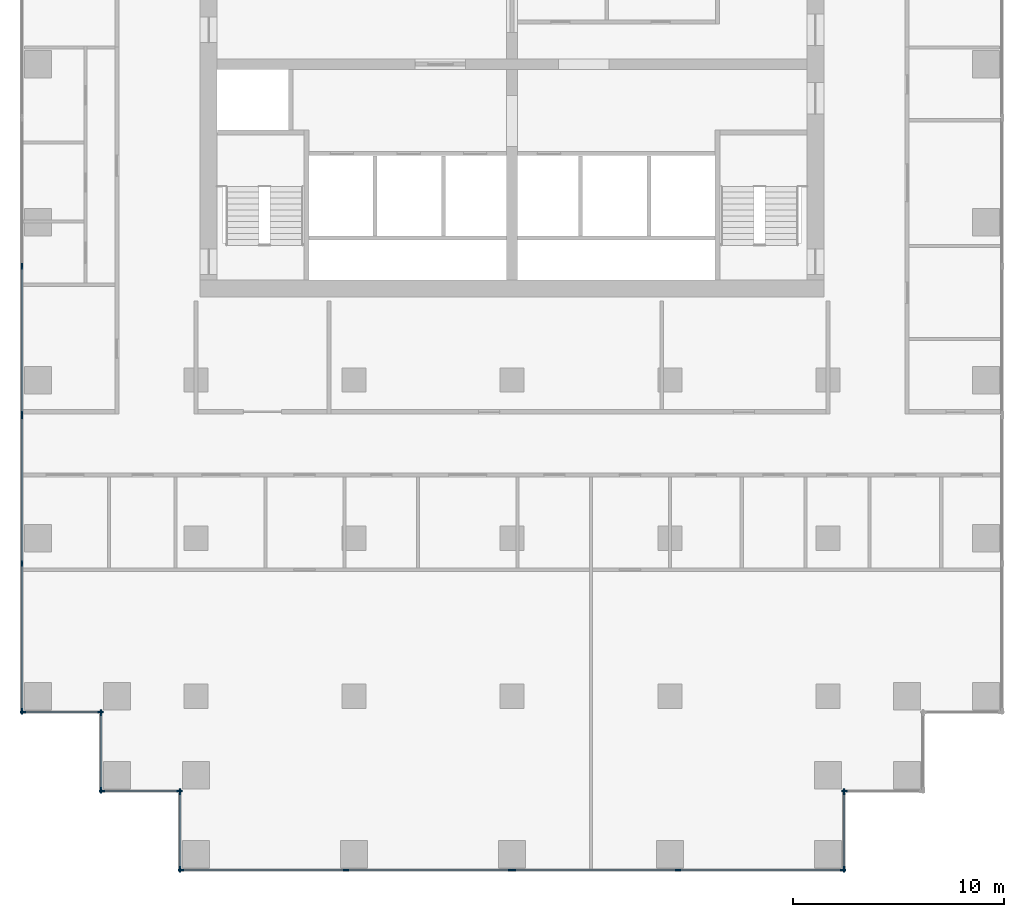
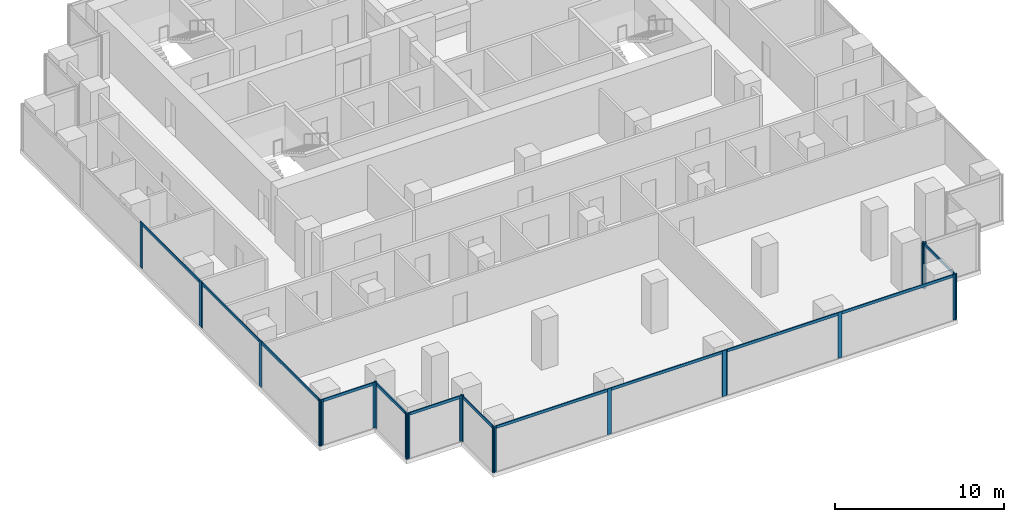
# One storey, part 2 of 10: 34 members, 10 elements without a shape of their own.
"""IFC4 building model written with IfcOpenShell, lengths in metres."""

from ifc_helpers import new_model, si_unit, direction, frame, origin, origin_2d, place, context, subcontext, project, spatial, rectangle, extrude, material, material_profile, profile_set, type_object, element, aggregate, save


model = new_model("IFC4")

# Units and contexts
model_context = context("Model", 3, precision=1e-05, world=origin(), true_north=direction((0.0, 1.0)))
body_context = subcontext(model_context, "Body", "Model", "MODEL_VIEW")
ifc_project = project(units=[si_unit("LENGTHUNIT", "METRE"), si_unit("AREAUNIT", "SQUARE_METRE"), si_unit("VOLUMEUNIT", "CUBIC_METRE"), si_unit("PLANEANGLEUNIT", "RADIAN"), si_unit("MASSUNIT", "GRAM", prefix="KILO")], contexts=[model_context])

# Site, building, storey
site_placement = place(None, origin())
site = spatial("IfcSite", under=ifc_project, at=site_placement, CompositionType="ELEMENT")
building_placement = place(site_placement, origin())
building = spatial("IfcBuilding", under=site, at=building_placement, Name="Pilkhan Gate Tower", CompositionType="ELEMENT")
storey_placement = place(building_placement, frame((0.0, 0.0, 107.199951171875)))
storey = spatial("IfcBuildingStorey", under=building, at=storey_placement, Name="L26", CompositionType="ELEMENT", Elevation=107.199951171875)

# Curtain wall, members
ifc_material_1 = material(Name="Pale anodised aluminium, clear low-iron double glazing", Category="aluminium")
curtain_wall_type = type_object("IfcCurtainWallType", Name="Office unitised curtain wall CW-O1", PredefinedType="USERDEFINED", material=ifc_material_1)
curtain_wall_1_placement = place(storey_placement, origin())
curtain_wall_1 = element("IfcCurtainWall", 1, at=curtain_wall_1_placement, inside=storey, type_object=curtain_wall_type, Name="Office unitised curtain wall CW-O1 L26 W", ObjectType="UNITISED CURTAIN WALL", PredefinedType="USERDEFINED")
ifc_material_2 = material(Name="Pale anodised aluminium", Category="aluminium")
ifc_material_profile_1 = material_profile(ifc_material_2, rectangle(XDim=0.070068359375, YDim=0.27490234375, at=origin_2d()), Name="Mullion 275x70")
ifc_profile_set_1 = profile_set([ifc_material_profile_1], Name="Pale anodised aluminium")
member_type_1 = type_object("IfcMemberType", Name="Mullion CW-O1 275x70", PredefinedType="MULLION", material=ifc_profile_set_1)
member_1_placement = place(storey_placement, frame((51.75, 51.784912109375, 0.0), z_axis=(0.0, 0.0, 1.0), x_axis=(-1.0, 0.0, 0.0)))
member_1 = element("IfcMember", 2, at=member_1_placement, type_object=member_type_1, Name="CW-O1 mullion 1", PredefinedType="MULLION", context=body_context, shape_type="SweptSolid", body=[
    extrude(rectangle(XDim=0.070068359375, YDim=0.27490234375, at=origin_2d()), origin(), (0.0, 0.0, 1.0), 3.300048828125),
])
member_2_placement = place(storey_placement, frame((51.75, 58.800048828125, 0.0), z_axis=(0.0, 0.0, 1.0), x_axis=(-1.0, 0.0, 0.0)))
member_2 = element("IfcMember", 3, at=member_2_placement, type_object=member_type_1, Name="CW-O1 mullion 2", PredefinedType="MULLION", context=body_context, shape_type="SweptSolid", body=[
    extrude(rectangle(XDim=0.070068359375, YDim=0.27490234375, at=origin_2d()), origin(), (0.0, 0.0, 1.0), 3.300048828125),
])
member_3_placement = place(storey_placement, frame((51.75, 65.81494140625, 0.0), z_axis=(0.0, 0.0, 1.0), x_axis=(-1.0, 0.0, 0.0)))
member_3 = element("IfcMember", 4, at=member_3_placement, type_object=member_type_1, Name="CW-O1 mullion 3", PredefinedType="MULLION", context=body_context, shape_type="SweptSolid", body=[
    extrude(rectangle(XDim=0.070068359375, YDim=0.27490234375, at=origin_2d()), origin(), (0.0, 0.0, 1.0), 3.300048828125),
])

curtain_wall_2_placement = place(storey_placement, origin())
curtain_wall_2 = element("IfcCurtainWall", 5, at=curtain_wall_2_placement, inside=storey, type_object=curtain_wall_type, Name="Office unitised curtain wall CW-O1 L26 W", ObjectType="UNITISED CURTAIN WALL", PredefinedType="USERDEFINED")
member_4_placement = place(storey_placement, frame((51.75, 65.885009765625, 0.0), z_axis=(0.0, 0.0, 1.0), x_axis=(-1.0, 0.0, 0.0)))
member_4 = element("IfcMember", 6, at=member_4_placement, type_object=member_type_1, Name="CW-O1 mullion 1", PredefinedType="MULLION", context=body_context, shape_type="SweptSolid", body=[
    extrude(rectangle(XDim=0.070068359375, YDim=0.27490234375, at=origin_2d()), origin(), (0.0, 0.0, 1.0), 3.300048828125),
])
member_5_placement = place(storey_placement, frame((51.75, 72.89990234375, 0.0), z_axis=(0.0, 0.0, 1.0), x_axis=(-1.0, 0.0, 0.0)))
member_5 = element("IfcMember", 7, at=member_5_placement, type_object=member_type_1, Name="CW-O1 mullion 2", PredefinedType="MULLION", context=body_context, shape_type="SweptSolid", body=[
    extrude(rectangle(XDim=0.070068359375, YDim=0.27490234375, at=origin_2d()), origin(), (0.0, 0.0, 1.0), 3.300048828125),
])

curtain_wall_3_placement = place(storey_placement, origin())
curtain_wall_3 = element("IfcCurtainWall", 8, at=curtain_wall_3_placement, inside=storey, type_object=curtain_wall_type, Name="Office unitised curtain wall CW-O1 L26 S", ObjectType="UNITISED CURTAIN WALL", PredefinedType="USERDEFINED")
member_6_placement = place(storey_placement, frame((51.784912109375, 51.75, 0.0), z_axis=(0.0, 0.0, 1.0), x_axis=(0.0, 1.0, 0.0)))
member_6 = element("IfcMember", 9, at=member_6_placement, type_object=member_type_1, Name="CW-O1 mullion 1", PredefinedType="MULLION", context=body_context, shape_type="SweptSolid", body=[
    extrude(rectangle(XDim=0.070068359375, YDim=0.27490234375, at=origin_2d()), origin(), (0.0, 0.0, 1.0), 3.300048828125),
])
member_7_placement = place(storey_placement, frame((55.465087890625, 51.75, 0.0), z_axis=(0.0, 0.0, 1.0), x_axis=(0.0, 1.0, 0.0)))
member_7 = element("IfcMember", 10, at=member_7_placement, type_object=member_type_1, Name="CW-O1 mullion 2", PredefinedType="MULLION", context=body_context, shape_type="SweptSolid", body=[
    extrude(rectangle(XDim=0.070068359375, YDim=0.27490234375, at=origin_2d()), origin(), (0.0, 0.0, 1.0), 3.300048828125),
])

curtain_wall_4_placement = place(storey_placement, origin())
curtain_wall_4 = element("IfcCurtainWall", 11, at=curtain_wall_4_placement, inside=storey, type_object=curtain_wall_type, Name="Office unitised curtain wall CW-O1 L26 W", ObjectType="UNITISED CURTAIN WALL", PredefinedType="USERDEFINED")
member_8_placement = place(storey_placement, frame((55.5, 48.034912109375, 0.0), z_axis=(0.0, 0.0, 1.0), x_axis=(-1.0, 0.0, 0.0)))
member_8 = element("IfcMember", 12, at=member_8_placement, type_object=member_type_1, Name="CW-O1 mullion 1", PredefinedType="MULLION", context=body_context, shape_type="SweptSolid", body=[
    extrude(rectangle(XDim=0.070068359375, YDim=0.27490234375, at=origin_2d()), origin(), (0.0, 0.0, 1.0), 3.300048828125),
])
member_9_placement = place(storey_placement, frame((55.5, 51.715087890625, 0.0), z_axis=(0.0, 0.0, 1.0), x_axis=(-1.0, 0.0, 0.0)))
member_9 = element("IfcMember", 13, at=member_9_placement, type_object=member_type_1, Name="CW-O1 mullion 2", PredefinedType="MULLION", context=body_context, shape_type="SweptSolid", body=[
    extrude(rectangle(XDim=0.070068359375, YDim=0.27490234375, at=origin_2d()), origin(), (0.0, 0.0, 1.0), 3.300048828125),
])

curtain_wall_5_placement = place(storey_placement, origin())
curtain_wall_5 = element("IfcCurtainWall", 14, at=curtain_wall_5_placement, inside=storey, type_object=curtain_wall_type, Name="Office unitised curtain wall CW-O1 L26 S", ObjectType="UNITISED CURTAIN WALL", PredefinedType="USERDEFINED")
member_10_placement = place(storey_placement, frame((55.534912109375, 48.0, 0.0), z_axis=(0.0, 0.0, 1.0), x_axis=(0.0, 1.0, 0.0)))
member_10 = element("IfcMember", 15, at=member_10_placement, type_object=member_type_1, Name="CW-O1 mullion 1", PredefinedType="MULLION", context=body_context, shape_type="SweptSolid", body=[
    extrude(rectangle(XDim=0.070068359375, YDim=0.27490234375, at=origin_2d()), origin(), (0.0, 0.0, 1.0), 3.300048828125),
])
member_11_placement = place(storey_placement, frame((59.215087890625, 48.0, 0.0), z_axis=(0.0, 0.0, 1.0), x_axis=(0.0, 1.0, 0.0)))
member_11 = element("IfcMember", 16, at=member_11_placement, type_object=member_type_1, Name="CW-O1 mullion 2", PredefinedType="MULLION", context=body_context, shape_type="SweptSolid", body=[
    extrude(rectangle(XDim=0.070068359375, YDim=0.27490234375, at=origin_2d()), origin(), (0.0, 0.0, 1.0), 3.300048828125),
])

curtain_wall_6_placement = place(storey_placement, origin())
curtain_wall_6 = element("IfcCurtainWall", 17, at=curtain_wall_6_placement, inside=storey, type_object=curtain_wall_type, Name="Office unitised curtain wall CW-O1 L26 W", ObjectType="UNITISED CURTAIN WALL", PredefinedType="USERDEFINED")
member_12_placement = place(storey_placement, frame((59.25, 44.284912109375, 0.0), z_axis=(0.0, 0.0, 1.0), x_axis=(-1.0, 0.0, 0.0)))
member_12 = element("IfcMember", 18, at=member_12_placement, type_object=member_type_1, Name="CW-O1 mullion 1", PredefinedType="MULLION", context=body_context, shape_type="SweptSolid", body=[
    extrude(rectangle(XDim=0.070068359375, YDim=0.27490234375, at=origin_2d()), origin(), (0.0, 0.0, 1.0), 3.300048828125),
])
member_13_placement = place(storey_placement, frame((59.25, 47.965087890625, 0.0), z_axis=(0.0, 0.0, 1.0), x_axis=(-1.0, 0.0, 0.0)))
member_13 = element("IfcMember", 19, at=member_13_placement, type_object=member_type_1, Name="CW-O1 mullion 2", PredefinedType="MULLION", context=body_context, shape_type="SweptSolid", body=[
    extrude(rectangle(XDim=0.070068359375, YDim=0.27490234375, at=origin_2d()), origin(), (0.0, 0.0, 1.0), 3.300048828125),
])

curtain_wall_7_placement = place(storey_placement, origin())
curtain_wall_7 = element("IfcCurtainWall", 20, at=curtain_wall_7_placement, inside=storey, type_object=curtain_wall_type, Name="Office unitised curtain wall CW-O1 L26 S", ObjectType="UNITISED CURTAIN WALL", PredefinedType="USERDEFINED")
member_14_placement = place(storey_placement, frame((59.284912109375, 44.25, 0.0), z_axis=(0.0, 0.0, 1.0), x_axis=(0.0, 1.0, 0.0)))
member_14 = element("IfcMember", 21, at=member_14_placement, type_object=member_type_1, Name="CW-O1 mullion 1", PredefinedType="MULLION", context=body_context, shape_type="SweptSolid", body=[
    extrude(rectangle(XDim=0.070068359375, YDim=0.27490234375, at=origin_2d()), origin(), (0.0, 0.0, 1.0), 3.300048828125),
])
member_15_placement = place(storey_placement, frame((67.125, 44.25, 0.0), z_axis=(0.0, 0.0, 1.0), x_axis=(0.0, 1.0, 0.0)))
member_15 = element("IfcMember", 22, at=member_15_placement, type_object=member_type_1, Name="CW-O1 mullion 2", PredefinedType="MULLION", context=body_context, shape_type="SweptSolid", body=[
    extrude(rectangle(XDim=0.070068359375, YDim=0.27490234375, at=origin_2d()), origin(), (0.0, 0.0, 1.0), 3.300048828125),
])
member_16_placement = place(storey_placement, frame((74.965087890625, 44.25, 0.0), z_axis=(0.0, 0.0, 1.0), x_axis=(0.0, 1.0, 0.0)))
member_16 = element("IfcMember", 23, at=member_16_placement, type_object=member_type_1, Name="CW-O1 mullion 3", PredefinedType="MULLION", context=body_context, shape_type="SweptSolid", body=[
    extrude(rectangle(XDim=0.070068359375, YDim=0.27490234375, at=origin_2d()), origin(), (0.0, 0.0, 1.0), 3.300048828125),
])

curtain_wall_8_placement = place(storey_placement, origin())
curtain_wall_8 = element("IfcCurtainWall", 24, at=curtain_wall_8_placement, inside=storey, type_object=curtain_wall_type, Name="Office unitised curtain wall CW-O1 L26 S", ObjectType="UNITISED CURTAIN WALL", PredefinedType="USERDEFINED")
member_17_placement = place(storey_placement, frame((75.034912109375, 44.25, 0.0), z_axis=(0.0, 0.0, 1.0), x_axis=(0.0, 1.0, 0.0)))
member_17 = element("IfcMember", 25, at=member_17_placement, type_object=member_type_1, Name="CW-O1 mullion 1", PredefinedType="MULLION", context=body_context, shape_type="SweptSolid", body=[
    extrude(rectangle(XDim=0.070068359375, YDim=0.27490234375, at=origin_2d()), origin(), (0.0, 0.0, 1.0), 3.300048828125),
])
member_18_placement = place(storey_placement, frame((82.875, 44.25, 0.0), z_axis=(0.0, 0.0, 1.0), x_axis=(0.0, 1.0, 0.0)))
member_18 = element("IfcMember", 26, at=member_18_placement, type_object=member_type_1, Name="CW-O1 mullion 2", PredefinedType="MULLION", context=body_context, shape_type="SweptSolid", body=[
    extrude(rectangle(XDim=0.070068359375, YDim=0.27490234375, at=origin_2d()), origin(), (0.0, 0.0, 1.0), 3.300048828125),
])
member_19_placement = place(storey_placement, frame((90.715087890625, 44.25, 0.0), z_axis=(0.0, 0.0, 1.0), x_axis=(0.0, 1.0, 0.0)))
member_19 = element("IfcMember", 27, at=member_19_placement, type_object=member_type_1, Name="CW-O1 mullion 3", PredefinedType="MULLION", context=body_context, shape_type="SweptSolid", body=[
    extrude(rectangle(XDim=0.070068359375, YDim=0.27490234375, at=origin_2d()), origin(), (0.0, 0.0, 1.0), 3.300048828125),
])

curtain_wall_9_placement = place(storey_placement, origin())
curtain_wall_9 = element("IfcCurtainWall", 28, at=curtain_wall_9_placement, inside=storey, type_object=curtain_wall_type, Name="Office unitised curtain wall CW-O1 L26 E", ObjectType="UNITISED CURTAIN WALL", PredefinedType="USERDEFINED")
member_20_placement = place(storey_placement, frame((90.75, 44.284912109375, 0.0), z_axis=(0.0, 0.0, 1.0), x_axis=(-1.0, 0.0, 0.0)))
member_20 = element("IfcMember", 29, at=member_20_placement, type_object=member_type_1, Name="CW-O1 mullion 1", PredefinedType="MULLION", context=body_context, shape_type="SweptSolid", body=[
    extrude(rectangle(XDim=0.070068359375, YDim=0.27490234375, at=origin_2d()), origin(), (0.0, 0.0, 1.0), 3.300048828125),
])
member_21_placement = place(storey_placement, frame((90.75, 47.965087890625, 0.0), z_axis=(0.0, 0.0, 1.0), x_axis=(-1.0, 0.0, 0.0)))
member_21 = element("IfcMember", 30, at=member_21_placement, type_object=member_type_1, Name="CW-O1 mullion 2", PredefinedType="MULLION", context=body_context, shape_type="SweptSolid", body=[
    extrude(rectangle(XDim=0.070068359375, YDim=0.27490234375, at=origin_2d()), origin(), (0.0, 0.0, 1.0), 3.300048828125),
])

# Curtain wall, member
curtain_wall_10_placement = place(storey_placement, origin())
curtain_wall_10 = element("IfcCurtainWall", 31, at=curtain_wall_10_placement, inside=storey, type_object=curtain_wall_type, Name="Office unitised curtain wall CW-O1 L26 S", ObjectType="UNITISED CURTAIN WALL", PredefinedType="USERDEFINED")
member_22_placement = place(storey_placement, frame((90.784912109375, 48.0, 0.0), z_axis=(0.0, 0.0, 1.0), x_axis=(0.0, 1.0, 0.0)))
member_22 = element("IfcMember", 32, at=member_22_placement, type_object=member_type_1, Name="CW-O1 mullion 1", PredefinedType="MULLION", context=body_context, shape_type="SweptSolid", body=[
    extrude(rectangle(XDim=0.070068359375, YDim=0.27490234375, at=origin_2d()), origin(), (0.0, 0.0, 1.0), 3.300048828125),
])
aggregate(curtain_wall_10, [member_22])

# Member
ifc_material_profile_2 = material_profile(ifc_material_2, rectangle(XDim=0.070068359375, YDim=0.199951171875, at=origin_2d()), Name="Transom 200x70")
ifc_profile_set_2 = profile_set([ifc_material_profile_2], Name="Pale anodised aluminium")
member_type_2 = type_object("IfcMemberType", Name="Transom CW-O1 200x70", PredefinedType="USERDEFINED", material=ifc_profile_set_2)
member_23_placement = place(storey_placement, frame((51.75, 51.820068359375, 3.199951171875), z_axis=(0.0, 1.0, 0.0), x_axis=(-1.0, 0.0, 0.0)))
member_23 = element("IfcMember", 33, at=member_23_placement, type_object=member_type_2, Name="CW-O1 transom 1", ObjectType="TRANSOM", PredefinedType="USERDEFINED", context=body_context, shape_type="SweptSolid", body=[
    extrude(rectangle(XDim=0.070068359375, YDim=0.199951171875, at=origin_2d()), origin(), (0.0, 0.0, 1.0), 6.94482421875),
])

member_24_placement = place(storey_placement, frame((51.75, 58.8349609375, 3.199951171875), z_axis=(0.0, 1.0, 0.0), x_axis=(-1.0, 0.0, 0.0)))
member_24 = element("IfcMember", 34, at=member_24_placement, type_object=member_type_2, Name="CW-O1 transom 2", ObjectType="TRANSOM", PredefinedType="USERDEFINED", context=body_context, shape_type="SweptSolid", body=[
    extrude(rectangle(XDim=0.070068359375, YDim=0.199951171875, at=origin_2d()), origin(), (0.0, 0.0, 1.0), 6.945068359375),
])

aggregate(curtain_wall_1, [member_1, member_2, member_3, member_23, member_24])

member_25_placement = place(storey_placement, frame((51.75, 65.919921875, 3.199951171875), z_axis=(0.0, 1.0, 0.0), x_axis=(-1.0, 0.0, 0.0)))
member_25 = element("IfcMember", 35, at=member_25_placement, type_object=member_type_2, Name="CW-O1 transom 1", ObjectType="TRANSOM", PredefinedType="USERDEFINED", context=body_context, shape_type="SweptSolid", body=[
    extrude(rectangle(XDim=0.070068359375, YDim=0.199951171875, at=origin_2d()), origin(), (0.0, 0.0, 1.0), 6.945068359375),
])

aggregate(curtain_wall_2, [member_4, member_5, member_25])

member_26_placement = place(storey_placement, frame((51.820068359375, 51.75, 3.199951171875), z_axis=(1.0, 0.0, 0.0), x_axis=(0.0, 1.0, 0.0)))
member_26 = element("IfcMember", 36, at=member_26_placement, type_object=member_type_2, Name="CW-O1 transom 1", ObjectType="TRANSOM", PredefinedType="USERDEFINED", context=body_context, shape_type="SweptSolid", body=[
    extrude(rectangle(XDim=0.070068359375, YDim=0.199951171875, at=origin_2d()), origin(), (0.0, 0.0, 1.0), 3.60986328125),
])

aggregate(curtain_wall_3, [member_6, member_7, member_26])

member_27_placement = place(storey_placement, frame((55.5, 48.070068359375, 3.199951171875), z_axis=(0.0, 1.0, 0.0), x_axis=(-1.0, 0.0, 0.0)))
member_27 = element("IfcMember", 37, at=member_27_placement, type_object=member_type_2, Name="CW-O1 transom 1", ObjectType="TRANSOM", PredefinedType="USERDEFINED", context=body_context, shape_type="SweptSolid", body=[
    extrude(rectangle(XDim=0.070068359375, YDim=0.199951171875, at=origin_2d()), origin(), (0.0, 0.0, 1.0), 3.60986328125),
])

aggregate(curtain_wall_4, [member_8, member_9, member_27])

member_28_placement = place(storey_placement, frame((55.570068359375, 48.0, 3.199951171875), z_axis=(1.0, 0.0, 0.0), x_axis=(0.0, 1.0, 0.0)))
member_28 = element("IfcMember", 38, at=member_28_placement, type_object=member_type_2, Name="CW-O1 transom 1", ObjectType="TRANSOM", PredefinedType="USERDEFINED", context=body_context, shape_type="SweptSolid", body=[
    extrude(rectangle(XDim=0.070068359375, YDim=0.199951171875, at=origin_2d()), origin(), (0.0, 0.0, 1.0), 3.60986328125),
])

aggregate(curtain_wall_5, [member_10, member_11, member_28])

member_29_placement = place(storey_placement, frame((59.25, 44.320068359375, 3.199951171875), z_axis=(0.0, 1.0, 0.0), x_axis=(-1.0, 0.0, 0.0)))
member_29 = element("IfcMember", 39, at=member_29_placement, type_object=member_type_2, Name="CW-O1 transom 1", ObjectType="TRANSOM", PredefinedType="USERDEFINED", context=body_context, shape_type="SweptSolid", body=[
    extrude(rectangle(XDim=0.070068359375, YDim=0.199951171875, at=origin_2d()), origin(), (0.0, 0.0, 1.0), 3.60986328125),
])

aggregate(curtain_wall_6, [member_12, member_13, member_29])

member_30_placement = place(storey_placement, frame((59.320068359375, 44.25, 3.199951171875), z_axis=(1.0, 0.0, 0.0), x_axis=(0.0, 1.0, 0.0)))
member_30 = element("IfcMember", 40, at=member_30_placement, type_object=member_type_2, Name="CW-O1 transom 1", ObjectType="TRANSOM", PredefinedType="USERDEFINED", context=body_context, shape_type="SweptSolid", body=[
    extrude(rectangle(XDim=0.070068359375, YDim=0.199951171875, at=origin_2d()), origin(), (0.0, 0.0, 1.0), 7.77001953125),
])

member_31_placement = place(storey_placement, frame((67.159912109375, 44.25, 3.199951171875), z_axis=(1.0, 0.0, 0.0), x_axis=(0.0, 1.0, 0.0)))
member_31 = element("IfcMember", 41, at=member_31_placement, type_object=member_type_2, Name="CW-O1 transom 2", ObjectType="TRANSOM", PredefinedType="USERDEFINED", context=body_context, shape_type="SweptSolid", body=[
    extrude(rectangle(XDim=0.070068359375, YDim=0.199951171875, at=origin_2d()), origin(), (0.0, 0.0, 1.0), 7.77001953125),
])

aggregate(curtain_wall_7, [member_14, member_15, member_16, member_30, member_31])

member_32_placement = place(storey_placement, frame((75.070068359375, 44.25, 3.199951171875), z_axis=(1.0, 0.0, 0.0), x_axis=(0.0, 1.0, 0.0)))
member_32 = element("IfcMember", 42, at=member_32_placement, type_object=member_type_2, Name="CW-O1 transom 1", ObjectType="TRANSOM", PredefinedType="USERDEFINED", context=body_context, shape_type="SweptSolid", body=[
    extrude(rectangle(XDim=0.070068359375, YDim=0.199951171875, at=origin_2d()), origin(), (0.0, 0.0, 1.0), 7.77001953125),
])

member_33_placement = place(storey_placement, frame((82.909912109375, 44.25, 3.199951171875), z_axis=(1.0, 0.0, 0.0), x_axis=(0.0, 1.0, 0.0)))
member_33 = element("IfcMember", 43, at=member_33_placement, type_object=member_type_2, Name="CW-O1 transom 2", ObjectType="TRANSOM", PredefinedType="USERDEFINED", context=body_context, shape_type="SweptSolid", body=[
    extrude(rectangle(XDim=0.070068359375, YDim=0.199951171875, at=origin_2d()), origin(), (0.0, 0.0, 1.0), 7.77001953125),
])

aggregate(curtain_wall_8, [member_17, member_18, member_19, member_32, member_33])

member_34_placement = place(storey_placement, frame((90.75, 44.320068359375, 3.199951171875), z_axis=(0.0, 1.0, 0.0), x_axis=(-1.0, 0.0, 0.0)))
member_34 = element("IfcMember", 44, at=member_34_placement, type_object=member_type_2, Name="CW-O1 transom 1", ObjectType="TRANSOM", PredefinedType="USERDEFINED", context=body_context, shape_type="SweptSolid", body=[
    extrude(rectangle(XDim=0.070068359375, YDim=0.199951171875, at=origin_2d()), origin(), (0.0, 0.0, 1.0), 3.60986328125),
])

aggregate(curtain_wall_9, [member_20, member_21, member_34])

save(model, "model.ifc")
